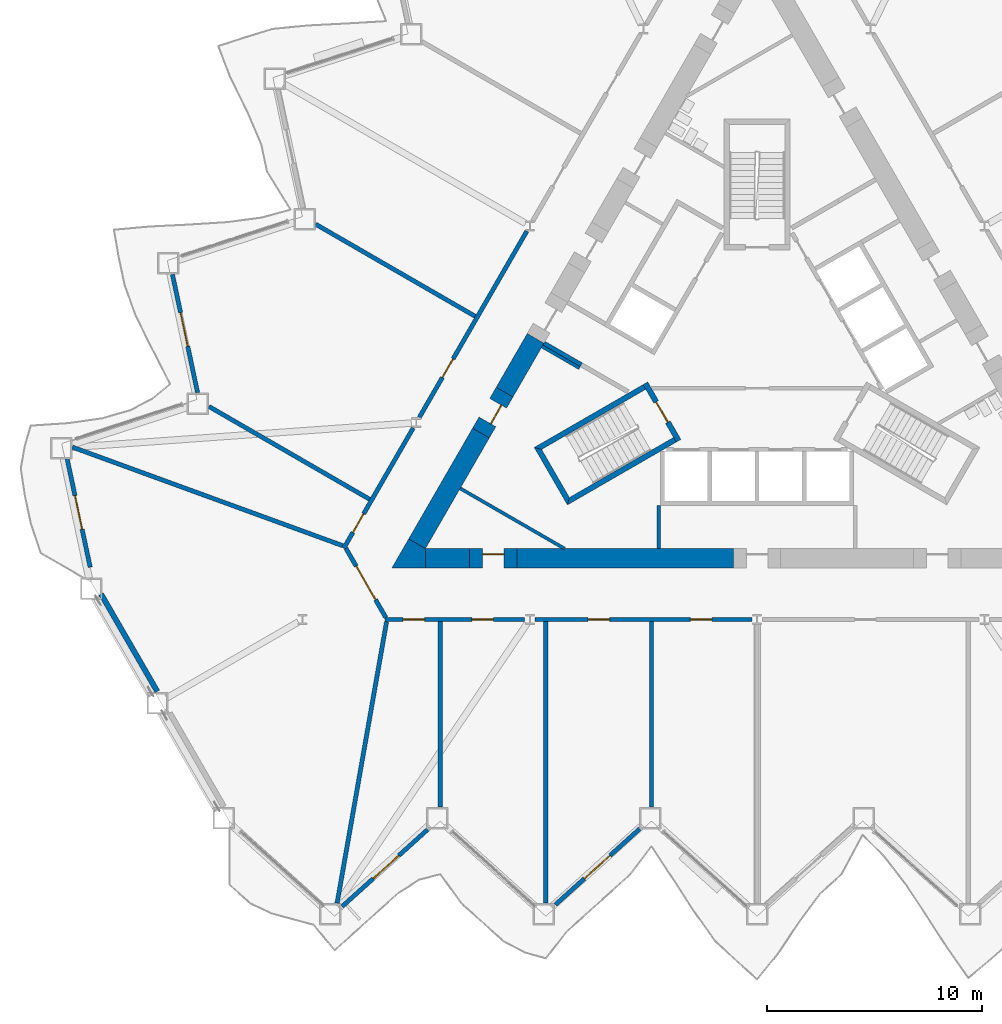
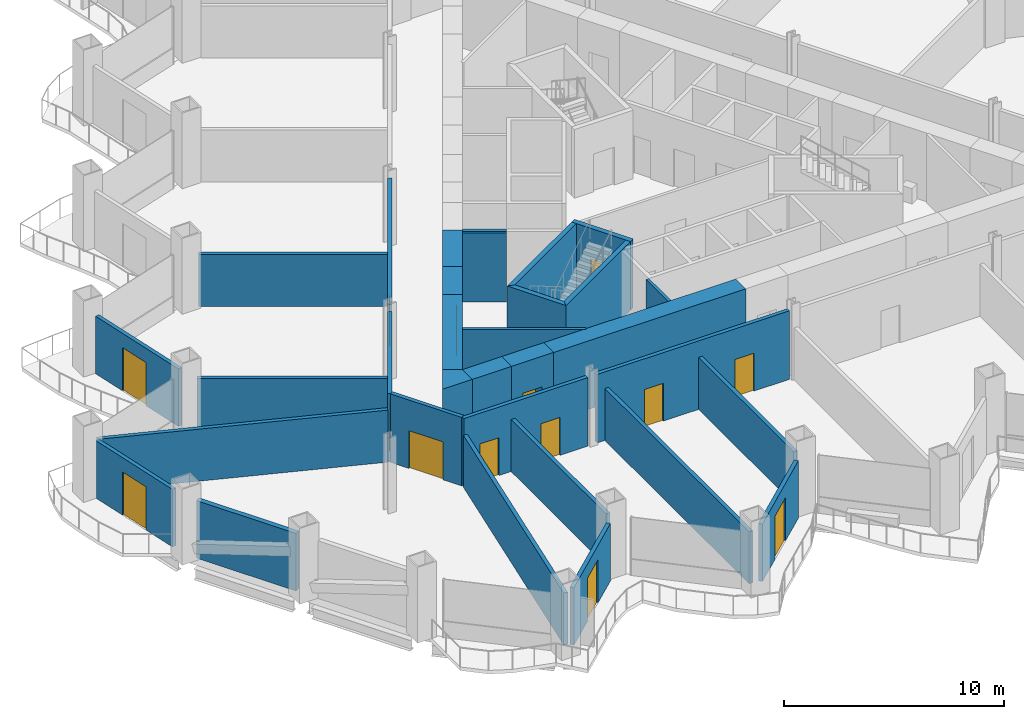
# One storey, part 9 of 21: 32 walls, 14 doors, 14 openings.
"""IFC4 building model written with IfcOpenShell, lengths in metres."""

from ifc_helpers import new_model, si_unit, direction, frame, frame_2d, origin, place, context, subcontext, project, spatial, polyline, rectangle, outline, extrude, material, layer, layer_set, type_object, element, fill, save


model = new_model("IFC4")

# Units and contexts
model_context = context("Model", 3, precision=1e-05, world=origin(), true_north=direction((0.0, 1.0)))
body_context = subcontext(model_context, "Body", "Model", "MODEL_VIEW")
ifc_project = project(units=[si_unit("LENGTHUNIT", "METRE"), si_unit("AREAUNIT", "SQUARE_METRE"), si_unit("VOLUMEUNIT", "CUBIC_METRE"), si_unit("PLANEANGLEUNIT", "RADIAN"), si_unit("MASSUNIT", "GRAM", prefix="KILO")], contexts=[model_context])

# Site, building, storey
site_placement = place(None, origin())
site = spatial("IfcSite", under=ifc_project, at=site_placement, CompositionType="ELEMENT")
building_placement = place(site_placement, origin())
building = spatial("IfcBuilding", under=site, at=building_placement, Name="Cormorant Prow Tower", CompositionType="ELEMENT")
storey_placement = place(building_placement, frame((0.0, 0.0, 67.800048828125)))
storey = spatial("IfcBuildingStorey", under=building, at=storey_placement, Name="L14", CompositionType="ELEMENT", Elevation=67.800048828125)

# Walls
ifc_material_1 = material(Name="Gypsum board partition")
ifc_layer_1 = layer(ifc_material_1, 0.14990234375)
ifc_layer_set_1 = layer_set([ifc_layer_1], Name="Gypsum board partition")
wall_type_1 = type_object("IfcWallType", Name="Core partition 150", PredefinedType="PARTITIONING", material=ifc_layer_set_1)
wall_1_placement = place(storey_placement, frame((-4.574951171875, -6.906005859375, 0.0), z_axis=(0.0, 0.0, 1.0), x_axis=(0.0, -1.0, 0.0)))
element("IfcWall", 1, at=wall_1_placement, inside=storey, type_object=wall_type_1, Name="Service room partition", PredefinedType="PARTITIONING", context=body_context, shape_type="SweptSolid", body=[
    extrude(rectangle(XDim=2.009033203125, YDim=0.14990234375, at=frame_2d((1.00439453125, 0.0))), origin(), (0.0, 0.0, 1.0), 3.800048828125),
])
wall_2_placement = place(storey_placement, frame((-8.268310546875, -0.509033203125, 0.0), z_axis=(0.0, 0.0, 1.0), x_axis=(-0.866035824272, 0.499981950752, 0.0)))
element("IfcWall", 2, at=wall_2_placement, inside=storey, type_object=wall_type_1, Name="Service room partition", PredefinedType="PARTITIONING", context=body_context, shape_type="SweptSolid", body=[
    extrude(rectangle(XDim=2.0087890625, YDim=0.14990234375, at=frame_2d((1.00439453125, 0.0))), origin(), (0.0, 0.0, 1.0), 3.800048828125),
])
wall_3_placement = place(storey_placement, frame((-13.822509765625, -6.111328125, 0.0), z_axis=(0.0, 0.0, 1.0), x_axis=(0.866026802741, -0.499997576928, 0.0)))
element("IfcWall", 3, at=wall_3_placement, inside=storey, type_object=wall_type_1, Name="Service room partition", PredefinedType="PARTITIONING", context=body_context, shape_type="SweptSolid", body=[
    extrude(rectangle(XDim=5.607421875, YDim=0.14990234375, at=frame_2d((2.8037109375, 0.0))), origin(), (0.0, 0.0, 1.0), 3.800048828125),
])
ifc_material_2 = material(Name="Concrete 8000 psi", Category="concrete")
ifc_layer_2 = layer(ifc_material_2, 0.89990234375)
ifc_layer_set_2 = layer_set([ifc_layer_2], Name="Concrete 8000 psi")
wall_type_2 = type_object("IfcWallType", Name="Core shear wall 900", PredefinedType="SHEAR", material=ifc_layer_set_2)
wall_4_placement = place(storey_placement, frame((-11.178955078125, -9.364990234375, 0.0), z_axis=(0.0, 0.0, 1.0), x_axis=(1.0, 0.0, 0.0)))
element("IfcWall", 4, at=wall_4_placement, inside=storey, type_object=wall_type_2, Name="Core wall", PredefinedType="SHEAR", context=body_context, shape_type="SweptSolid", body=[
    extrude(rectangle(XDim=10.078857421875, YDim=0.89990234375, at=frame_2d((5.03955078125, 0.0))), origin(), (0.0, 0.0, 1.0), 3.800048828125),
])
wall_5_placement = place(storey_placement, frame((-15.441162109375, -9.364990234375, 0.0), z_axis=(0.0, 0.0, 1.0), x_axis=(1.0, 0.0, 0.0)))
element("IfcWall", 5, at=wall_5_placement, inside=storey, type_object=wall_type_2, Name="Core wall", PredefinedType="SHEAR", context=body_context, shape_type="SweptSolid", body=[
    extrude(rectangle(XDim=2.062255859375, YDim=0.89990234375, at=frame_2d((1.03125, 0.0))), origin(), (0.0, 0.0, 1.0), 3.800048828125),
])
wall_6_placement = place(storey_placement, frame((-12.85498046875, -3.53564453125, 0.0), z_axis=(0.0, 0.0, 1.0), x_axis=(-0.499999419053, -0.866025739194, 0.0)))
element("IfcWall", 6, at=wall_6_placement, inside=storey, type_object=wall_type_2, Name="Core wall", PredefinedType="SHEAR", context=body_context, shape_type="SweptSolid", body=[
    extrude(rectangle(XDim=5.95166015625, YDim=0.89990234375, at=frame_2d((2.975830078125, 0.0))), origin(), (0.0, 0.0, 1.0), 3.800048828125),
])
wall_7_placement = place(storey_placement, frame((-10.310302734375, 0.8720703125, 0.0), z_axis=(0.0, 0.0, 1.0), x_axis=(-0.499946751862, -0.866056144429, 0.0)))
element("IfcWall", 7, at=wall_7_placement, inside=storey, type_object=wall_type_2, Name="Core wall", PredefinedType="SHEAR", context=body_context, shape_type="SweptSolid", body=[
    extrude(rectangle(XDim=2.889404296875, YDim=0.89990234375, at=frame_2d((1.44482421875, 0.0))), origin(), (0.0, 0.0, 1.0), 3.800048828125),
])
wall_8_placement = place(storey_placement, origin())
element("IfcWall", 8, at=wall_8_placement, inside=storey, type_object=wall_type_2, Name="Core wall corner", PredefinedType="SHEAR", context=body_context, shape_type="SweptSolid", body=[
    extrude(outline(polyline([(-16.220703125, -8.465087890625), (-15.441162109375, -8.9150390625), (-15.441162109375, -9.81494140625), (-17.0, -9.81494140625), (-16.220703125, -8.465087890625)])), origin(), (0.0, 0.0, 1.0), 3.800048828125),
])

# Wall, opening, door
wall_9_placement = place(storey_placement, frame((-13.37890625, -9.364990234375, 0.0), z_axis=(0.0, 0.0, 1.0), x_axis=(1.0, 0.0, 0.0)))
wall_9 = element("IfcWall", 9, at=wall_9_placement, inside=storey, type_object=wall_type_2, Name="Core wall door panel", PredefinedType="SHEAR", context=body_context, shape_type="SweptSolid", body=[
    extrude(rectangle(XDim=2.199951171875, YDim=0.89990234375, at=frame_2d((1.10009765625, 0.0))), origin(), (0.0, 0.0, 1.0), 3.800048828125),
])
opening_1_placement = place(wall_9_placement, frame((0.60009765625, 0.0, 0.0)))
opening_1 = element("IfcOpeningElement", 10, at=opening_1_placement, cuts=wall_9, Name="Opening L14-C14", PredefinedType="OPENING", context=body_context, shape_type="SweptSolid", body=[
    extrude(rectangle(XDim=1.0, YDim=2.10009765625, at=frame_2d((0.5, 1.050048828125))), frame((0.0, 0.4599609375, 0.0), z_axis=(0.0, -1.0, 0.0), x_axis=(1.0, 0.0, 0.0)), (0.0, 0.0, 1.0), 0.919921875),
])
ifc_material_3 = material(Name="Painted steel", Category="steel")
door_type_1 = type_object("IfcDoorType", Name="Service door 1000x2100", OperationType="NOTDEFINED", PredefinedType="DOOR", material=ifc_material_3)
door_1_placement = place(opening_1_placement, origin())
door_1 = element("IfcDoor", 11, at=door_1_placement, inside=storey, type_object=door_type_1, Name="Core door, Housekeeping store", OperationType="SINGLE_SWING_LEFT", OverallHeight=2.10009765625, OverallWidth=1.0, PredefinedType="DOOR", context=body_context, shape_type="SweptSolid", body=[
    extrude(rectangle(XDim=1.0, YDim=2.10009765625, at=frame_2d((0.5, 1.050048828125))), frame((0.0, 0.205078125, 0.0), z_axis=(0.0, -1.0, 0.0), x_axis=(1.0, 0.0, 0.0)), (0.0, 0.0, 1.0), 0.050048828125),
])
fill(opening_1, door_1)

wall_10_placement = place(storey_placement, frame((-11.7548828125, -1.63037109375, 0.0), z_axis=(0.0, 0.0, 1.0), x_axis=(-0.50002983664, -0.866008176907, 0.0)))
wall_10 = element("IfcWall", 12, at=wall_10_placement, inside=storey, type_object=wall_type_2, Name="Core wall door panel", PredefinedType="SHEAR", context=body_context, shape_type="SweptSolid", body=[
    extrude(rectangle(XDim=2.199951171875, YDim=0.89990234375, at=frame_2d((1.10009765625, 0.0))), origin(), (0.0, 0.0, 1.0), 3.800048828125),
])
opening_2_placement = place(wall_10_placement, frame((0.60009765625, 0.0, 0.0)))
opening_2 = element("IfcOpeningElement", 13, at=opening_2_placement, cuts=wall_10, Name="Opening L14-C18", PredefinedType="OPENING", context=body_context, shape_type="SweptSolid", body=[
    extrude(rectangle(XDim=1.0, YDim=2.10009765625, at=frame_2d((0.5, 1.050048828125))), frame((0.0, 0.4599609375, 0.0), z_axis=(0.0, -1.0, 0.0), x_axis=(1.0, 0.0, 0.0)), (0.0, 0.0, 1.0), 0.919921875),
])
door_2_placement = place(opening_2_placement, origin())
door_2 = element("IfcDoor", 14, at=door_2_placement, inside=storey, type_object=door_type_1, Name="Core door, Housekeeping store", OperationType="SINGLE_SWING_RIGHT", OverallHeight=2.10009765625, OverallWidth=1.0, PredefinedType="DOOR", context=body_context, shape_type="SweptSolid", body=[
    extrude(rectangle(XDim=1.0, YDim=2.10009765625, at=frame_2d((0.5, 1.050048828125))), frame((0.0, 0.205078125, 0.0), z_axis=(0.0, -1.0, 0.0), x_axis=(1.0, 0.0, 0.0)), (0.0, 0.0, 1.0), 0.050048828125),
])
fill(opening_2, door_2)

# Wall, openings, doors
ifc_material_4 = material(Name="Gypsum board corridor wall")
ifc_layer_3 = layer(ifc_material_4, 0.199951171875)
ifc_layer_set_3 = layer_set([ifc_layer_3], Name="Gypsum board corridor wall")
wall_type_3 = type_object("IfcWallType", Name="Corridor wall 200", PredefinedType="PARTITIONING", material=ifc_layer_set_3)
wall_11_placement = place(storey_placement, frame((-10.336181640625, -12.215087890625, 0.0), z_axis=(0.0, 0.0, 1.0), x_axis=(1.0, 0.0, 0.0)))
wall_11 = element("IfcWall", 15, at=wall_11_placement, inside=storey, type_object=wall_type_3, Name="Corridor wall", PredefinedType="PARTITIONING", context=body_context, shape_type="SweptSolid", body=[
    extrude(rectangle(XDim=10.093994140625, YDim=0.199951171875, at=frame_2d((5.046875, 0.0))), origin(), (0.0, 0.0, 1.0), 3.800048828125),
])
opening_3_placement = place(wall_11_placement, frame((2.474365234375, 0.0, 0.0)))
opening_3 = element("IfcOpeningElement", 16, at=opening_3_placement, cuts=wall_11, Name="Opening L14-F03", PredefinedType="OPENING", context=body_context, shape_type="SweptSolid", body=[
    extrude(rectangle(XDim=1.0, YDim=2.10009765625, at=frame_2d((0.5, 1.050048828125))), frame((0.0, 0.10986328125, 0.0), z_axis=(0.0, -1.0, 0.0), x_axis=(1.0, 0.0, 0.0)), (0.0, 0.0, 1.0), 0.219970703125),
])
opening_4_placement = place(wall_11_placement, frame((7.22607421875, 0.0, 0.0)))
opening_4 = element("IfcOpeningElement", 17, at=opening_4_placement, cuts=wall_11, Name="Opening L14-F04", PredefinedType="OPENING", context=body_context, shape_type="SweptSolid", body=[
    extrude(rectangle(XDim=1.0, YDim=2.10009765625, at=frame_2d((0.5, 1.050048828125))), frame((0.0, 0.10986328125, 0.0), z_axis=(0.0, -1.0, 0.0), x_axis=(1.0, 0.0, 0.0)), (0.0, 0.0, 1.0), 0.219970703125),
])
ifc_material_5 = material(Name="Timber door leaf", Category="wood")
door_type_2 = type_object("IfcDoorType", Name="Office door 1000x2100", OperationType="NOTDEFINED", PredefinedType="DOOR", material=ifc_material_5)
door_3_placement = place(opening_3_placement, origin())
door_3 = element("IfcDoor", 18, at=door_3_placement, inside=storey, type_object=door_type_2, Name="Meeting room door", OperationType="SINGLE_SWING_LEFT", OverallHeight=2.10009765625, OverallWidth=1.0, PredefinedType="DOOR", context=body_context, shape_type="SweptSolid", body=[
    extrude(rectangle(XDim=1.0, YDim=2.10009765625, at=frame_2d((0.5, 1.050048828125))), frame((0.0, 0.02490234375, 0.0), z_axis=(0.0, -1.0, 0.0), x_axis=(1.0, 0.0, 0.0)), (0.0, 0.0, 1.0), 0.050048828125),
])
fill(opening_3, door_3)
door_4_placement = place(opening_4_placement, origin())
door_4 = element("IfcDoor", 19, at=door_4_placement, inside=storey, type_object=door_type_2, Name="Meeting room door", OperationType="SINGLE_SWING_RIGHT", OverallHeight=2.10009765625, OverallWidth=1.0, PredefinedType="DOOR", context=body_context, shape_type="SweptSolid", body=[
    extrude(rectangle(XDim=1.0, YDim=2.10009765625, at=frame_2d((0.5, 1.050048828125))), frame((0.0, 0.02490234375, 0.0), z_axis=(0.0, -1.0, 0.0), x_axis=(1.0, 0.0, 0.0)), (0.0, 0.0, 1.0), 0.050048828125),
])
fill(opening_4, door_4)

# Wall, opening, door
wall_12_placement = place(storey_placement, frame((-15.727783203125, -2.811279296875, 0.0), z_axis=(0.0, 0.0, 1.0), x_axis=(0.49999175339, 0.866030164915, 0.0)))
wall_12 = element("IfcWall", 20, at=wall_12_placement, inside=storey, type_object=wall_type_3, Name="Corridor wall", PredefinedType="PARTITIONING", context=body_context, shape_type="SweptSolid", body=[
    extrude(rectangle(XDim=10.018798828125, YDim=0.199951171875, at=frame_2d((5.00927734375, 0.0))), origin(), (0.0, 0.0, 1.0), 3.800048828125),
])
opening_5_placement = place(wall_12_placement, frame((2.154296875, 0.0, 0.0)))
opening_5 = element("IfcOpeningElement", 21, at=opening_5_placement, cuts=wall_12, Name="Opening L14-F15", PredefinedType="OPENING", context=body_context, shape_type="SweptSolid", body=[
    extrude(rectangle(XDim=1.0, YDim=2.10009765625, at=frame_2d((0.5, 1.050048828125))), frame((0.0, 0.10986328125, 0.0), z_axis=(0.0, -1.0, 0.0), x_axis=(1.0, 0.0, 0.0)), (0.0, 0.0, 1.0), 0.219970703125),
])
door_5_placement = place(opening_5_placement, origin())
door_5 = element("IfcDoor", 22, at=door_5_placement, inside=storey, type_object=door_type_2, Name="Open-plan office door", OperationType="SINGLE_SWING_RIGHT", OverallHeight=2.10009765625, OverallWidth=1.0, PredefinedType="DOOR", context=body_context, shape_type="SweptSolid", body=[
    extrude(rectangle(XDim=1.0, YDim=2.10009765625, at=frame_2d((0.5, 1.050048828125))), frame((0.0, 0.02490234375, 0.0), z_axis=(0.0, -1.0, 0.0), x_axis=(1.0, 0.0, 0.0)), (0.0, 0.0, 1.0), 0.050048828125),
])
fill(opening_5, door_5)

# Wall, openings, doors
wall_13_placement = place(storey_placement, frame((-17.330810546875, -12.215087890625, 0.0), z_axis=(0.0, 0.0, 1.0), x_axis=(1.0, 0.0, 0.0)))
wall_13 = element("IfcWall", 23, at=wall_13_placement, inside=storey, type_object=wall_type_3, Name="Corridor wall", PredefinedType="PARTITIONING", context=body_context, shape_type="SweptSolid", body=[
    extrude(rectangle(XDim=6.510009765625, YDim=0.199951171875, at=frame_2d((3.2548828125, 0.0))), origin(), (0.0, 0.0, 1.0), 3.800048828125),
])
opening_6_placement = place(wall_13_placement, frame((0.851318359375, 0.0, 0.0)))
opening_6 = element("IfcOpeningElement", 24, at=opening_6_placement, cuts=wall_13, Name="Opening L14-F01", PredefinedType="OPENING", context=body_context, shape_type="SweptSolid", body=[
    extrude(rectangle(XDim=1.0, YDim=2.10009765625, at=frame_2d((0.5, 1.050048828125))), frame((0.0, 0.10986328125, 0.0), z_axis=(0.0, -1.0, 0.0), x_axis=(1.0, 0.0, 0.0)), (0.0, 0.0, 1.0), 0.219970703125),
])
opening_7_placement = place(wall_13_placement, frame((4.0576171875, 0.0, 0.0)))
opening_7 = element("IfcOpeningElement", 25, at=opening_7_placement, cuts=wall_13, Name="Opening L14-F02", PredefinedType="OPENING", context=body_context, shape_type="SweptSolid", body=[
    extrude(rectangle(XDim=1.0, YDim=2.10009765625, at=frame_2d((0.5, 1.050048828125))), frame((0.0, 0.10986328125, 0.0), z_axis=(0.0, -1.0, 0.0), x_axis=(1.0, 0.0, 0.0)), (0.0, 0.0, 1.0), 0.219970703125),
])
door_6_placement = place(opening_6_placement, origin())
door_6 = element("IfcDoor", 26, at=door_6_placement, inside=storey, type_object=door_type_2, Name="Meeting room door", OperationType="SINGLE_SWING_LEFT", OverallHeight=2.10009765625, OverallWidth=1.0, PredefinedType="DOOR", context=body_context, shape_type="SweptSolid", body=[
    extrude(rectangle(XDim=1.0, YDim=2.10009765625, at=frame_2d((0.5, 1.050048828125))), frame((0.0, 0.02490234375, 0.0), z_axis=(0.0, -1.0, 0.0), x_axis=(1.0, 0.0, 0.0)), (0.0, 0.0, 1.0), 0.050048828125),
])
fill(opening_6, door_6)
door_7_placement = place(opening_7_placement, origin())
door_7 = element("IfcDoor", 27, at=door_7_placement, inside=storey, type_object=door_type_2, Name="Meeting room door", OperationType="SINGLE_SWING_LEFT", OverallHeight=2.10009765625, OverallWidth=1.0, PredefinedType="DOOR", context=body_context, shape_type="SweptSolid", body=[
    extrude(rectangle(XDim=1.0, YDim=2.10009765625, at=frame_2d((0.5, 1.050048828125))), frame((0.0, 0.02490234375, 0.0), z_axis=(0.0, -1.0, 0.0), x_axis=(1.0, 0.0, 0.0)), (0.0, 0.0, 1.0), 0.050048828125),
])
fill(opening_7, door_7)

# Wall, opening, door
wall_14_placement = place(storey_placement, frame((-19.243896484375, -8.901611328125, 0.0), z_axis=(0.0, 0.0, 1.0), x_axis=(0.499984737558, 0.86603421538, 0.0)))
wall_14 = element("IfcWall", 28, at=wall_14_placement, inside=storey, type_object=wall_type_3, Name="Corridor wall", PredefinedType="PARTITIONING", context=body_context, shape_type="SweptSolid", body=[
    extrude(rectangle(XDim=6.472900390625, YDim=0.199951171875, at=frame_2d((3.236328125, 0.0))), origin(), (0.0, 0.0, 1.0), 3.800048828125),
])
opening_8_placement = place(wall_14_placement, frame((0.85888671875, 0.0, 0.0)))
opening_8 = element("IfcOpeningElement", 29, at=opening_8_placement, cuts=wall_14, Name="Opening L14-F16", PredefinedType="OPENING", context=body_context, shape_type="SweptSolid", body=[
    extrude(rectangle(XDim=1.0, YDim=2.10009765625, at=frame_2d((0.5, 1.050048828125))), frame((0.0, 0.10986328125, 0.0), z_axis=(0.0, -1.0, 0.0), x_axis=(1.0, 0.0, 0.0)), (0.0, 0.0, 1.0), 0.219970703125),
])
door_8_placement = place(opening_8_placement, origin())
door_8 = element("IfcDoor", 30, at=door_8_placement, inside=storey, type_object=door_type_2, Name="Meeting room door", OperationType="SINGLE_SWING_RIGHT", OverallHeight=2.10009765625, OverallWidth=1.0, PredefinedType="DOOR", context=body_context, shape_type="SweptSolid", body=[
    extrude(rectangle(XDim=1.0, YDim=2.10009765625, at=frame_2d((0.5, 1.050048828125))), frame((0.0, 0.02490234375, 0.0), z_axis=(0.0, -1.0, 0.0), x_axis=(1.0, 0.0, 0.0)), (0.0, 0.0, 1.0), 0.050048828125),
])
fill(opening_8, door_8)

wall_15_placement = place(storey_placement, frame((-19.143798828125, -8.901611328125, 0.0), z_axis=(0.0, 0.0, 1.0), x_axis=(0.499958791762, -0.866049194065, 0.0)))
wall_15 = element("IfcWall", 31, at=wall_15_placement, inside=storey, type_object=wall_type_3, Name="Corridor wall", PredefinedType="PARTITIONING", context=body_context, shape_type="SweptSolid", body=[
    extrude(rectangle(XDim=3.725830078125, YDim=0.199951171875, at=frame_2d((1.86279296875, 0.0))), origin(), (0.0, 0.0, 1.0), 3.800048828125),
])
opening_9_placement = place(wall_15_placement, frame((0.962890625, 0.0, 0.0)))
opening_9 = element("IfcOpeningElement", 32, at=opening_9_placement, cuts=wall_15, Name="Opening L14-F17", PredefinedType="OPENING", context=body_context, shape_type="SweptSolid", body=[
    extrude(rectangle(XDim=1.800048828125, YDim=2.10009765625, at=frame_2d((0.89990234375, 1.050048828125))), frame((0.0, 0.10986328125, 0.0), z_axis=(0.0, -1.0, 0.0), x_axis=(1.0, 0.0, 0.0)), (0.0, 0.0, 1.0), 0.219970703125),
])
ifc_material_6 = material(Name="Timber door leaf", Category="wood")
door_type_3 = type_object("IfcDoorType", Name="Double door 1800x2100", OperationType="DOUBLE_DOOR_SINGLE_SWING", PredefinedType="DOOR", material=ifc_material_6)
door_9_placement = place(opening_9_placement, origin())
door_9 = element("IfcDoor", 33, at=door_9_placement, inside=storey, type_object=door_type_3, Name="Trading room door", OperationType="DOUBLE_DOOR_SINGLE_SWING", OverallHeight=2.10009765625, OverallWidth=1.800048828125, PredefinedType="DOOR", context=body_context, shape_type="SweptSolid", body=[
    extrude(rectangle(XDim=1.800048828125, YDim=2.10009765625, at=frame_2d((0.89990234375, 1.050048828125))), frame((0.0, 0.02490234375, 0.0), z_axis=(0.0, -1.0, 0.0), x_axis=(1.0, 0.0, 0.0)), (0.0, 0.0, 1.0), 0.050048828125),
])
fill(opening_9, door_9)

# Walls
ifc_material_7 = material(Name="Gypsum board demising wall")
ifc_layer_4 = layer(ifc_material_7, 0.199951171875)
ifc_layer_set_4 = layer_set([ifc_layer_4], Name="Gypsum board demising wall")
wall_type_4 = type_object("IfcWallType", Name="Demising wall 200", PredefinedType="PARTITIONING", material=ifc_layer_set_4)
wall_16_placement = place(storey_placement, frame((-31.87939453125, -4.1904296875, 0.0), z_axis=(0.0, 0.0, 1.0), x_axis=(0.939515478087, -0.34250644729, 0.0)))
element("IfcWall", 34, at=wall_16_placement, inside=storey, type_object=wall_type_4, Name="Demising wall", PredefinedType="PARTITIONING", context=body_context, shape_type="SweptSolid", body=[
    extrude(rectangle(XDim=13.402099609375, YDim=0.199951171875, at=frame_2d((6.701171875, 0.0))), origin(), (0.0, 0.0, 1.0), 2.88525390625),
])
wall_17_placement = place(storey_placement, frame((-19.552490234375, -25.42138671875, 0.0), z_axis=(0.0, 0.0, 1.0), x_axis=(0.173132292437, 0.984898578187, 0.0)))
element("IfcWall", 35, at=wall_17_placement, inside=storey, type_object=wall_type_4, Name="Demising wall", PredefinedType="PARTITIONING", context=body_context, shape_type="SweptSolid", body=[
    extrude(rectangle(XDim=13.308837890625, YDim=0.199951171875, at=frame_2d((6.654296875, 0.0))), origin(), (0.0, 0.0, 1.0), 2.88525390625),
])
wall_18_placement = place(storey_placement, frame((-9.833984375, -25.42138671875, 0.0), z_axis=(0.0, 0.0, 1.0), x_axis=(0.0, 1.0, 0.0)))
element("IfcWall", 36, at=wall_18_placement, inside=storey, type_object=wall_type_4, Name="Demising wall", PredefinedType="PARTITIONING", context=body_context, shape_type="SweptSolid", body=[
    extrude(rectangle(XDim=13.1064453125, YDim=0.199951171875, at=frame_2d((6.55322265625, 0.0))), origin(), (0.0, 0.0, 1.0), 2.88525390625),
])
wall_19_placement = place(storey_placement, frame((-25.52392578125, -2.296875, 0.0), z_axis=(0.0, 0.0, 1.0), x_axis=(0.866036909293, -0.499980071345, 0.0)))
element("IfcWall", 37, at=wall_19_placement, inside=storey, type_object=wall_type_4, Name="Demising wall", PredefinedType="PARTITIONING", context=body_context, shape_type="SweptSolid", body=[
    extrude(rectangle(XDim=8.640869140625, YDim=0.199951171875, at=frame_2d((4.3203125, 0.0))), origin(), (0.0, 0.0, 1.0), 2.88525390625),
])
for number, where, z_axis, x_axis, name in (
    (38, (-14.751220703125, -20.949951171875, 0.0), (0.0, 0.0, 1.0), (0.0, 1.0, 0.0), "Demising wall"),
    (39, (-4.9169921875, -20.949951171875, 0.0), (0.0, 0.0, 1.0), (0.0, 1.0, 0.0), "Demising wall"),
):
    element("IfcWall", number, at=place(storey_placement, frame(where, z_axis=z_axis, x_axis=x_axis)), inside=storey, type_object=wall_type_4, Name=name, PredefinedType="PARTITIONING", context=body_context, shape_type="SweptSolid", body=[
        extrude(rectangle(XDim=8.635009765625, YDim=0.199951171875, at=frame_2d((4.3173828125, 0.0))), origin(), (0.0, 0.0, 1.0), 2.88525390625),
    ])
wall_20_placement = place(storey_placement, frame((-20.557861328125, 6.19140625, 0.0), z_axis=(0.0, 0.0, 1.0), x_axis=(0.866024086673, -0.500002281298, 0.0)))
element("IfcWall", 40, at=wall_20_placement, inside=storey, type_object=wall_type_4, Name="Demising wall", PredefinedType="PARTITIONING", context=body_context, shape_type="SweptSolid", body=[
    extrude(rectangle(XDim=8.58447265625, YDim=0.199951171875, at=frame_2d((4.292236328125, 0.0))), origin(), (0.0, 0.0, 1.0), 2.88525390625),
])
ifc_material_8 = material(Name="Concrete 8000 psi", Category="concrete")
ifc_layer_5 = layer(ifc_material_8, 0.199951171875)
ifc_layer_set_5 = layer_set([ifc_layer_5], Name="Concrete 8000 psi")
wall_type_5 = type_object("IfcWallType", Name="Lift shaft wall 200", PredefinedType="SHEAR", material=ifc_layer_set_5)
wall_21_placement = place(storey_placement, frame((-8.180908203125, -0.357421875, 0.0), z_axis=(0.0, 0.0, 1.0), x_axis=(-0.866035824272, 0.499981950752, 0.0)))
element("IfcWall", 41, at=wall_21_placement, inside=storey, type_object=wall_type_5, Name="Lobby passage wall", PredefinedType="SHEAR", context=body_context, shape_type="SweptSolid", body=[
    extrude(rectangle(XDim=2.0087890625, YDim=0.199951171875, at=frame_2d((1.00439453125, 0.0))), origin(), (0.0, 0.0, 1.0), 3.800048828125),
])
ifc_material_9 = material(Name="Concrete 8000 psi", Category="concrete")
ifc_layer_6 = layer(ifc_material_9, 0.25)
ifc_layer_set_6 = layer_set([ifc_layer_6], Name="Concrete 8000 psi")
wall_type_6 = type_object("IfcWallType", Name="Stair wall 250", PredefinedType="SHEAR", material=ifc_layer_set_6)
wall_22_placement = place(storey_placement, origin())
element("IfcWall", 42, at=wall_22_placement, inside=storey, type_object=wall_type_6, Name="Stair ST1 enclosure wall (flank)", PredefinedType="SHEAR", context=body_context, shape_type="SweptSolid", body=[
    extrude(outline(polyline([(-5.30712890625, -1.28125), (-10.37353515625, -4.206298828125), (-10.031982421875, -4.2978515625), (-5.18212890625, -1.497802734375), (-5.30712890625, -1.28125)])), origin(), (0.0, 0.0, 1.0), 3.800048828125),
])
wall_23_placement = place(storey_placement, origin())
element("IfcWall", 43, at=wall_23_placement, inside=storey, type_object=wall_type_6, Name="Stair ST1 enclosure wall (end)", PredefinedType="SHEAR", context=body_context, shape_type="SweptSolid", body=[
    extrude(outline(polyline([(-10.37353515625, -4.206298828125), (-8.82958984375, -6.880615234375), (-8.738037109375, -6.5390625), (-10.031982421875, -4.2978515625), (-10.37353515625, -4.206298828125)])), origin(), (0.0, 0.0, 1.0), 3.800048828125),
])
wall_24_placement = place(storey_placement, origin())
element("IfcWall", 44, at=wall_24_placement, inside=storey, type_object=wall_type_6, Name="Stair ST1 enclosure wall (flank)", PredefinedType="SHEAR", context=body_context, shape_type="SweptSolid", body=[
    extrude(outline(polyline([(-8.738037109375, -6.5390625), (-8.82958984375, -6.880615234375), (-3.76318359375, -3.95556640625), (-3.88818359375, -3.739013671875), (-8.738037109375, -6.5390625)])), origin(), (0.0, 0.0, 1.0), 3.800048828125),
])

# Wall, opening, door
wall_25_placement = place(storey_placement, frame((-5.198974609375, -1.21875, 0.0), z_axis=(0.0, 0.0, 1.0), x_axis=(0.499982516597, -0.866035497597, 0.0)))
wall_25 = element("IfcWall", 45, at=wall_25_placement, inside=storey, type_object=wall_type_6, Name="Stair ST1 door wall", PredefinedType="SHEAR", context=body_context, shape_type="SweptSolid", body=[
    extrude(rectangle(XDim=3.087890625, YDim=0.25, at=frame_2d((1.5439453125, 0.0))), origin(), (0.0, 0.0, 1.0), 3.800048828125),
])
opening_10_placement = place(wall_25_placement, frame((0.993896484375, 0.0, 0.0)))
opening_10 = element("IfcOpeningElement", 46, at=opening_10_placement, cuts=wall_25, Name="Opening L14-C11", PredefinedType="OPENING", context=body_context, shape_type="SweptSolid", body=[
    extrude(rectangle(XDim=1.10009765625, YDim=2.10009765625, at=frame_2d((0.550048828125, 1.050048828125))), frame((0.0, 0.135009765625, 0.0), z_axis=(0.0, -1.0, 0.0), x_axis=(1.0, 0.0, 0.0)), (0.0, 0.0, 1.0), 0.27001953125),
])
ifc_material_10 = material(Name="Painted steel", Category="steel")
door_type_4 = type_object("IfcDoorType", Name="Stair door 1100x2100", OperationType="NOTDEFINED", PredefinedType="DOOR", material=ifc_material_10)
door_10_placement = place(opening_10_placement, origin())
door_10 = element("IfcDoor", 47, at=door_10_placement, inside=storey, type_object=door_type_4, Name="Stair ST1 door", OperationType="SINGLE_SWING_LEFT", OverallHeight=2.10009765625, OverallWidth=1.10009765625, PredefinedType="DOOR", context=body_context, shape_type="SweptSolid", body=[
    extrude(rectangle(XDim=1.10009765625, YDim=2.10009765625, at=frame_2d((0.550048828125, 1.050048828125))), frame((0.0, 0.02490234375, 0.0), z_axis=(0.0, -1.0, 0.0), x_axis=(1.0, 0.0, 0.0)), (0.0, 0.0, 1.0), 0.050048828125),
])
fill(opening_10, door_10)

# Wall
ifc_material_11 = material(Name="Terracotta", Category="masonry")
ifc_layer_7 = layer(ifc_material_11, 0.25)
ifc_layer_set_7 = layer_set([ifc_layer_7], Name="Terracotta")
wall_type_7 = type_object("IfcWallType", Name="Terracotta bay wall 250", PredefinedType="SOLIDWALL", material=ifc_layer_set_7)
wall_26_placement = place(storey_placement, frame((-30.540283203125, -11.036865234375, 0.0), z_axis=(0.0, 0.0, 1.0), x_axis=(0.500009302692, -0.866020032806, 0.0)))
element("IfcWall", 48, at=wall_26_placement, inside=storey, type_object=wall_type_7, Name="Terracotta bay wall WSW00", PredefinedType="SOLIDWALL", context=body_context, shape_type="SweptSolid", body=[
    extrude(rectangle(XDim=5.23095703125, YDim=0.25, at=frame_2d((2.615478515625, 0.0))), origin(), (0.0, 0.0, 1.0), 3.18896484375),
])

# Wall, opening, door
ifc_material_12 = material(Name="Terracotta", Category="masonry")
ifc_layer_8 = layer(ifc_material_12, 0.199951171875)
ifc_layer_set_8 = layer_set([ifc_layer_8], Name="Terracotta")
wall_type_8 = type_object("IfcWallType", Name="Terracotta jamb wall 200", PredefinedType="SOLIDWALL", material=ifc_layer_set_8)
wall_27_placement = place(storey_placement, frame((-19.310791015625, -25.572509765625, 0.0), z_axis=(0.0, 0.0, 1.0), x_axis=(0.743150982682, 0.669123768027, 0.0)))
wall_27 = element("IfcWall", 49, at=wall_27_placement, inside=storey, type_object=wall_type_8, Name="Terracotta jamb wall S01", PredefinedType="SOLIDWALL", context=body_context, shape_type="SweptSolid", body=[
    extrude(rectangle(XDim=5.3427734375, YDim=0.199951171875, at=frame_2d((2.67138671875, 0.0))), origin(), (0.0, 0.0, 1.0), 3.18896484375),
])
opening_11_placement = place(wall_27_placement, frame((1.937255859375, 0.0, 0.0)))
opening_11 = element("IfcOpeningElement", 50, at=opening_11_placement, cuts=wall_27, Name="Opening ED14.01", PredefinedType="OPENING", context=body_context, shape_type="SweptSolid", body=[
    extrude(rectangle(XDim=1.60009765625, YDim=2.39990234375, at=frame_2d((0.800048828125, 1.199951171875))), frame((0.0, 0.10986328125, 0.0), z_axis=(0.0, -1.0, 0.0), x_axis=(1.0, 0.0, 0.0)), (0.0, 0.0, 1.0), 0.219970703125),
])
ifc_material_13 = material(Name="Aluminium 6063-T6", Category="aluminium")
door_type_5 = type_object("IfcDoorType", Name="Balcony door 1600x2400", OperationType="DOUBLE_DOOR_SINGLE_SWING", PredefinedType="DOOR", material=ifc_material_13)
door_11_placement = place(opening_11_placement, origin())
door_11 = element("IfcDoor", 51, at=door_11_placement, inside=storey, type_object=door_type_5, Name="Balcony door S01 ED14.01", OperationType="DOUBLE_DOOR_SINGLE_SWING", OverallHeight=2.39990234375, OverallWidth=1.60009765625, PredefinedType="DOOR", context=body_context, shape_type="SweptSolid", body=[
    extrude(rectangle(XDim=1.60009765625, YDim=2.39990234375, at=frame_2d((0.800048828125, 1.199951171875))), frame((0.0, 0.02490234375, 0.0), z_axis=(0.0, -1.0, 0.0), x_axis=(1.0, 0.0, 0.0)), (0.0, 0.0, 1.0), 0.050048828125),
])
fill(opening_11, door_11)

wall_28_placement = place(storey_placement, frame((-9.385986328125, -25.49072265625, 0.0), z_axis=(0.0, 0.0, 1.0), x_axis=(0.74315149197, 0.669123202395, 0.0)))
wall_28 = element("IfcWall", 52, at=wall_28_placement, inside=storey, type_object=wall_type_8, Name="Terracotta jamb wall S03", PredefinedType="SOLIDWALL", context=body_context, shape_type="SweptSolid", body=[
    extrude(rectangle(XDim=5.276611328125, YDim=0.199951171875, at=frame_2d((2.63818359375, 0.0))), origin(), (0.0, 0.0, 1.0), 3.18896484375),
])
opening_12_placement = place(wall_28_placement, frame((1.8154296875, 0.0, 0.0)))
opening_12 = element("IfcOpeningElement", 53, at=opening_12_placement, cuts=wall_28, Name="Opening ED14.02", PredefinedType="OPENING", context=body_context, shape_type="SweptSolid", body=[
    extrude(rectangle(XDim=1.60009765625, YDim=2.39990234375, at=frame_2d((0.800048828125, 1.199951171875))), frame((0.0, 0.10986328125, 0.0), z_axis=(0.0, -1.0, 0.0), x_axis=(1.0, 0.0, 0.0)), (0.0, 0.0, 1.0), 0.219970703125),
])
door_12_placement = place(opening_12_placement, origin())
door_12 = element("IfcDoor", 54, at=door_12_placement, inside=storey, type_object=door_type_5, Name="Balcony door S03 ED14.02", OperationType="DOUBLE_DOOR_SINGLE_SWING", OverallHeight=2.39990234375, OverallWidth=1.60009765625, PredefinedType="DOOR", context=body_context, shape_type="SweptSolid", body=[
    extrude(rectangle(XDim=1.60009765625, YDim=2.39990234375, at=frame_2d((0.800048828125, 1.199951171875))), frame((0.0, 0.02490234375, 0.0), z_axis=(0.0, -1.0, 0.0), x_axis=(1.0, 0.0, 0.0)), (0.0, 0.0, 1.0), 0.050048828125),
])
fill(opening_12, door_12)

wall_29_placement = place(storey_placement, frame((-27.21826171875, 3.84765625, 0.0), z_axis=(0.0, 0.0, 1.0), x_axis=(0.207943350029, -0.978140870825, 0.0)))
wall_29 = element("IfcWall", 55, at=wall_29_placement, inside=storey, type_object=wall_type_8, Name="Terracotta jamb wall WNW07", PredefinedType="SOLIDWALL", context=body_context, shape_type="SweptSolid", body=[
    extrude(rectangle(XDim=5.626220703125, YDim=0.199951171875, at=frame_2d((2.81298828125, 0.0))), origin(), (0.0, 0.0, 1.0), 3.18896484375),
])
opening_13_placement = place(wall_29_placement, frame((1.822265625, 0.0, 0.0)))
opening_13 = element("IfcOpeningElement", 56, at=opening_13_placement, cuts=wall_29, Name="Opening ED14.14", PredefinedType="OPENING", context=body_context, shape_type="SweptSolid", body=[
    extrude(rectangle(XDim=1.60009765625, YDim=2.39990234375, at=frame_2d((0.800048828125, 1.199951171875))), frame((0.0, 0.10986328125, 0.0), z_axis=(0.0, -1.0, 0.0), x_axis=(1.0, 0.0, 0.0)), (0.0, 0.0, 1.0), 0.219970703125),
])
door_13_placement = place(opening_13_placement, origin())
door_13 = element("IfcDoor", 57, at=door_13_placement, inside=storey, type_object=door_type_5, Name="Balcony door WNW07 ED14.14", OperationType="DOUBLE_DOOR_SINGLE_SWING", OverallHeight=2.39990234375, OverallWidth=1.60009765625, PredefinedType="DOOR", context=body_context, shape_type="SweptSolid", body=[
    extrude(rectangle(XDim=1.60009765625, YDim=2.39990234375, at=frame_2d((0.800048828125, 1.199951171875))), frame((0.0, 0.02490234375, 0.0), z_axis=(0.0, -1.0, 0.0), x_axis=(1.0, 0.0, 0.0)), (0.0, 0.0, 1.0), 0.050048828125),
])
fill(opening_13, door_13)

wall_30_placement = place(storey_placement, frame((-32.131591796875, -4.685546875, 0.0), z_axis=(0.0, 0.0, 1.0), x_axis=(0.207896861912, -0.978150752598, 0.0)))
wall_30 = element("IfcWall", 58, at=wall_30_placement, inside=storey, type_object=wall_type_8, Name="Terracotta jamb wall WNW09", PredefinedType="SOLIDWALL", context=body_context, shape_type="SweptSolid", body=[
    extrude(rectangle(XDim=5.21044921875, YDim=0.199951171875, at=frame_2d((2.605224609375, 0.0))), origin(), (0.0, 0.0, 1.0), 3.18896484375),
])
opening_14_placement = place(wall_30_placement, frame((1.80517578125, 0.0, 0.0)))
opening_14 = element("IfcOpeningElement", 59, at=opening_14_placement, cuts=wall_30, Name="Opening ED14.15", PredefinedType="OPENING", context=body_context, shape_type="SweptSolid", body=[
    extrude(rectangle(XDim=1.60009765625, YDim=2.39990234375, at=frame_2d((0.800048828125, 1.199951171875))), frame((0.0, 0.10986328125, 0.0), z_axis=(0.0, -1.0, 0.0), x_axis=(1.0, 0.0, 0.0)), (0.0, 0.0, 1.0), 0.219970703125),
])
door_14_placement = place(opening_14_placement, origin())
door_14 = element("IfcDoor", 60, at=door_14_placement, inside=storey, type_object=door_type_5, Name="Balcony door WNW09 ED14.15", OperationType="DOUBLE_DOOR_SINGLE_SWING", OverallHeight=2.39990234375, OverallWidth=1.60009765625, PredefinedType="DOOR", context=body_context, shape_type="SweptSolid", body=[
    extrude(rectangle(XDim=1.60009765625, YDim=2.39990234375, at=frame_2d((0.800048828125, 1.199951171875))), frame((0.0, 0.02490234375, 0.0), z_axis=(0.0, -1.0, 0.0), x_axis=(1.0, 0.0, 0.0)), (0.0, 0.0, 1.0), 0.050048828125),
])
fill(opening_14, door_14)

save(model, "model.ifc")
